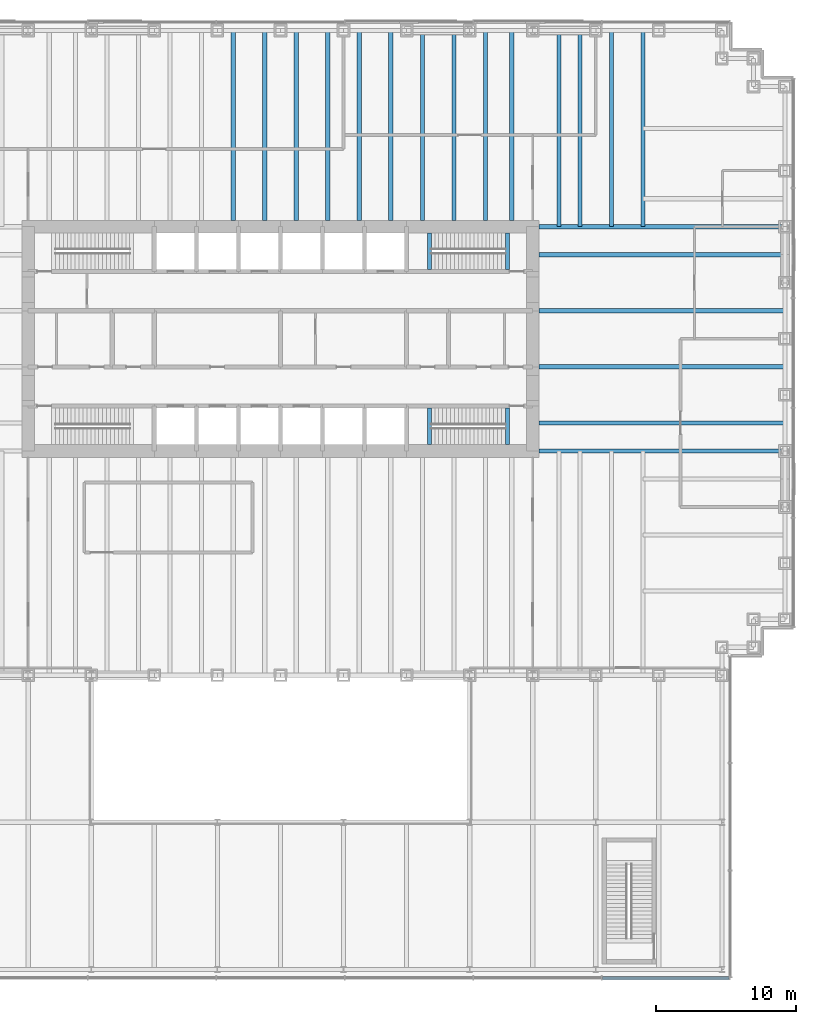
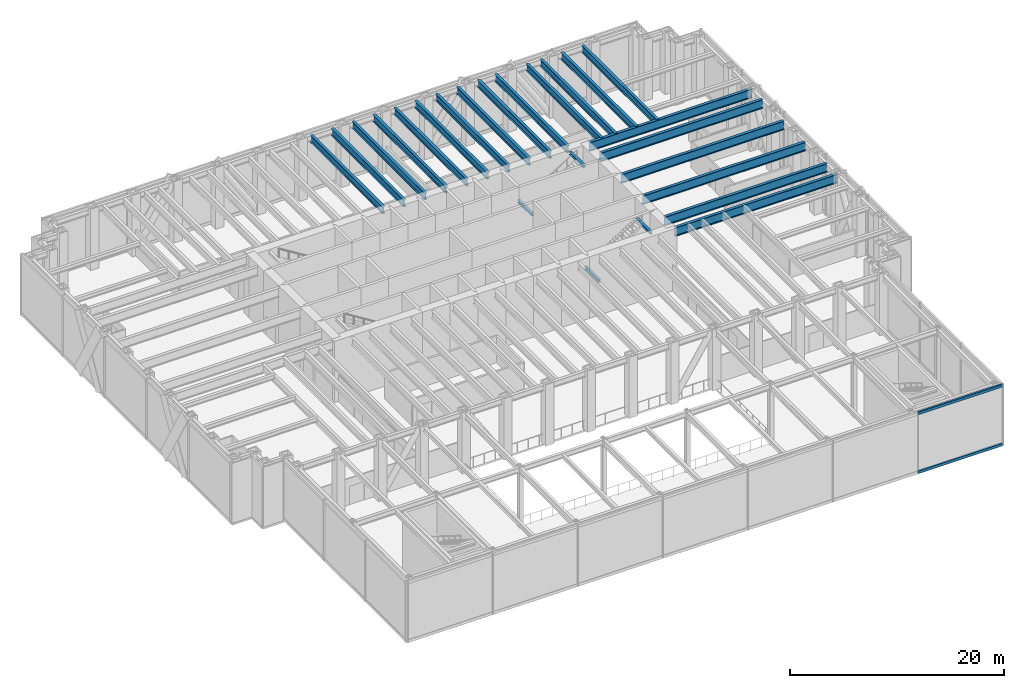
# One storey, part 6 of 17: 24 beams, 2 members, 1 element without a shape of its own.
"""IFC4 building model written with IfcOpenShell, lengths in metres."""

from ifc_helpers import new_model, si_unit, direction, frame, origin, origin_2d, place, context, subcontext, project, spatial, rectangle, i_section, extrude, material, material_profile, profile_set, type_object, element, aggregate, save


model = new_model("IFC4")

# Units and contexts
model_context = context("Model", 3, precision=1e-05, world=origin(), true_north=direction((0.0, 1.0)))
body_context = subcontext(model_context, "Body", "Model", "MODEL_VIEW")
ifc_project = project(units=[si_unit("LENGTHUNIT", "METRE"), si_unit("AREAUNIT", "SQUARE_METRE"), si_unit("VOLUMEUNIT", "CUBIC_METRE"), si_unit("PLANEANGLEUNIT", "RADIAN"), si_unit("MASSUNIT", "GRAM", prefix="KILO")], contexts=[model_context])

# Site, building, storey
site_placement = place(None, origin())
site = spatial("IfcSite", under=ifc_project, at=site_placement, CompositionType="ELEMENT")
building_placement = place(site_placement, origin())
building = spatial("IfcBuilding", under=site, at=building_placement, Name="Rheinbord Bourse Tower", CompositionType="ELEMENT")
storey_placement = place(building_placement, frame((0.0, 0.0, 6.0)))
storey = spatial("IfcBuildingStorey", under=building, at=storey_placement, Name="L01", CompositionType="ELEMENT", Elevation=6.0)

# Curtain wall, members
ifc_material_1 = material(Name="Dark glass and black aluminium", Category="aluminium")
curtain_wall_type = type_object("IfcCurtainWallType", Name="CW4 DARK GLASS CURTAIN WALL", PredefinedType="USERDEFINED", material=ifc_material_1)
curtain_wall_placement = place(storey_placement, origin())
curtain_wall = element("IfcCurtainWall", 1, at=curtain_wall_placement, inside=storey, type_object=curtain_wall_type, Name="Curtain wall CW4 S L01", ObjectType="UNITISED CURTAIN WALL", PredefinedType="USERDEFINED")
ifc_material_2 = material(Name="Black anodised aluminium", Category="aluminium")
ifc_material_profile_1 = material_profile(ifc_material_2, rectangle(XDim=0.199951171875, YDim=0.300048828125, at=origin_2d()), Name="CW4 TRANSOM 300x200")
ifc_profile_set_1 = profile_set([ifc_material_profile_1], Name="Black anodised aluminium")
member_type = type_object("IfcMemberType", Name="CW4 BLACK TRANSOM", PredefinedType="USERDEFINED", material=ifc_profile_set_1)
member_1_placement = place(storey_placement, frame((58.9736328125, -21.60009765625, 0.14990234375), z_axis=(1.0, 0.0, 0.0), x_axis=(0.0, 1.0, 0.0)))
member_1 = element("IfcMember", 2, at=member_1_placement, type_object=member_type, Name="CW4 transom 7.1", ObjectType="TRANSOM", PredefinedType="USERDEFINED", context=body_context, shape_type="SweptSolid", body=[
    extrude(rectangle(XDim=0.199951171875, YDim=0.300048828125, at=origin_2d()), origin(), (0.0, 0.0, 1.0), 9.036376953125),
])
member_2_placement = place(storey_placement, frame((58.9736328125, -21.60009765625, 6.85009765625), z_axis=(1.0, 0.0, 0.0), x_axis=(0.0, 1.0, 0.0)))
member_2 = element("IfcMember", 3, at=member_2_placement, type_object=member_type, Name="CW4 transom 7.2", ObjectType="TRANSOM", PredefinedType="USERDEFINED", context=body_context, shape_type="SweptSolid", body=[
    extrude(rectangle(XDim=0.199951171875, YDim=0.300048828125, at=origin_2d()), origin(), (0.0, 0.0, 1.0), 9.036376953125),
])
aggregate(curtain_wall, [member_1, member_2])

# Beams
ifc_material_3 = material(Name="Steel S460", Category="steel")
ifc_material_profile_2 = material_profile(ifc_material_3, i_section(OverallWidth=0.302001953125, OverallDepth=1.008056640625, WebThickness=0.02099609375, FlangeThickness=0.0400390625, at=origin_2d()), Name="HEM 1000")
ifc_profile_set_2 = profile_set([ifc_material_profile_2], Name="Steel S460")
beam_type_1 = type_object("IfcBeamType", Name="END BEAM HEM 1000", PredefinedType="BEAM", material=ifc_profile_set_2)
for number, where, z_axis, x_axis, name in (
    (4, (54.449951171875, 18.0, 6.31591796875), (1.0, 0.0, 0.0), (0.0, 1.0, 0.0), "End beam east 18 L02"),
    (5, (54.449951171875, 22.0, 6.31591796875), (1.0, 0.0, 0.0), (0.0, 1.0, 0.0), "End beam east 22 L02"),
    (6, (54.449951171875, 26.0, 6.31591796875), (1.0, 0.0, 0.0), (0.0, 1.0, 0.0), "End beam east 26 L02"),
    (7, (54.449951171875, 30.0, 6.31591796875), (1.0, 0.0, 0.0), (0.0, 1.0, 0.0), "End beam east 30 L02"),
):
    element("IfcBeam", number, at=place(storey_placement, frame(where, z_axis=z_axis, x_axis=x_axis)), inside=storey, type_object=beam_type_1, Name=name, PredefinedType="BEAM", context=body_context, shape_type="SweptSolid", body=[
        extrude(i_section(OverallWidth=0.302001953125, OverallDepth=1.008056640625, WebThickness=0.02099609375, FlangeThickness=0.0400390625, at=origin_2d()), origin(), (0.0, 0.0, 1.0), 17.550048828125),
    ])
ifc_material_4 = material(Name="Steel S460", Category="steel")
ifc_material_profile_3 = material_profile(ifc_material_4, i_section(OverallWidth=0.300048828125, OverallDepth=0.800048828125, WebThickness=0.017578125, FlangeThickness=0.032958984375, at=origin_2d()), Name="HEB 800")
ifc_profile_set_3 = profile_set([ifc_material_profile_3], Name="Steel S460")
beam_type_2 = type_object("IfcBeamType", Name="FLOOR BEAM HEB 800", PredefinedType="BEAM", material=ifc_profile_set_3)
for number, where, z_axis, x_axis, name in (
    (8, (32.625, 46.0, 6.419921875), (0.0, -1.0, 0.0), (1.0, 0.0, 0.0), "Floor beam N-31.5a L02"),
    (9, (34.875, 46.0, 6.419921875), (0.0, -1.0, 0.0), (1.0, 0.0, 0.0), "Floor beam N-31.5b L02"),
    (10, (37.125, 46.0, 6.419921875), (0.0, -1.0, 0.0), (1.0, 0.0, 0.0), "Floor beam N-36a L02"),
    (11, (39.375, 46.0, 6.419921875), (0.0, -1.0, 0.0), (1.0, 0.0, 0.0), "Floor beam N-36b L02"),
    (12, (41.625, 46.0, 6.419921875), (0.0, -1.0, 0.0), (1.0, 0.0, 0.0), "Floor beam N-40.5a L02"),
    (13, (43.875, 46.0, 6.419921875), (0.0, -1.0, 0.0), (1.0, 0.0, 0.0), "Floor beam N-40.5b L02"),
    (14, (46.125, 46.0, 6.419921875), (0.0, -1.0, 0.0), (1.0, 0.0, 0.0), "Floor beam N-45a L02"),
    (15, (48.375, 46.0, 6.419921875), (0.0, -1.0, 0.0), (1.0, 0.0, 0.0), "Floor beam N-45b L02"),
    (16, (50.625, 46.0, 6.419921875), (0.0, -1.0, 0.0), (1.0, 0.0, 0.0), "Floor beam N-49.5a L02"),
    (17, (52.5, 46.0, 6.419921875), (0.0, -1.0, 0.0), (1.0, 0.0, 0.0), "Floor beam N-49.5b L02"),
):
    element("IfcBeam", number, at=place(storey_placement, frame(where, z_axis=z_axis, x_axis=x_axis)), inside=storey, type_object=beam_type_2, Name=name, PredefinedType="BEAM", context=body_context, shape_type="SweptSolid", body=[
        extrude(i_section(OverallWidth=0.300048828125, OverallDepth=0.800048828125, WebThickness=0.017578125, FlangeThickness=0.032958984375, at=origin_2d()), origin(), (0.0, 0.0, 1.0), 13.550048828125),
    ])
for number, where, z_axis, x_axis, name in (
    (18, (55.875, 46.0, 6.419921875), (0.0, -1.0, 0.0), (1.0, 0.0, 0.0), "Floor beam N-54a L02"),
    (19, (57.375, 46.0, 6.419921875), (0.0, -1.0, 0.0), (1.0, 0.0, 0.0), "Floor beam N-54b L02"),
    (20, (59.625, 46.0, 6.419921875), (0.0, -1.0, 0.0), (1.0, 0.0, 0.0), "Floor beam N-58.5a L02"),
    (21, (61.875, 46.0, 6.419921875), (0.0, -1.0, 0.0), (1.0, 0.0, 0.0), "Floor beam N-58.5b L02"),
):
    element("IfcBeam", number, at=place(storey_placement, frame(where, z_axis=z_axis, x_axis=x_axis)), inside=storey, type_object=beam_type_2, Name=name, PredefinedType="BEAM", context=body_context, shape_type="SweptSolid", body=[
        extrude(i_section(OverallWidth=0.300048828125, OverallDepth=0.800048828125, WebThickness=0.017578125, FlangeThickness=0.032958984375, at=origin_2d()), origin(), (0.0, 0.0, 1.0), 14.0),
    ])
ifc_material_5 = material(Name="Steel S460", Category="steel")
ifc_material_profile_4 = material_profile(ifc_material_5, i_section(OverallWidth=0.302001953125, OverallDepth=1.008056640625, WebThickness=0.02099609375, FlangeThickness=0.0400390625, at=origin_2d()), Name="HEM 1000")
ifc_profile_set_4 = profile_set([ifc_material_profile_4], Name="Steel S460")
beam_type_3 = type_object("IfcBeamType", Name="GIRDER HEM 1000", PredefinedType="BEAM", material=ifc_profile_set_4)
for number, where, z_axis, x_axis, name in (
    (22, (54.449951171875, 16.0, 6.31591796875), (1.0, 0.0, 0.0), (0.0, 1.0, 0.0), "Girder east 16 L02"),
    (23, (54.449951171875, 32.0, 6.31591796875), (1.0, 0.0, 0.0), (0.0, 1.0, 0.0), "Girder east 32 L02"),
):
    element("IfcBeam", number, at=place(storey_placement, frame(where, z_axis=z_axis, x_axis=x_axis)), inside=storey, type_object=beam_type_3, Name=name, PredefinedType="BEAM", context=body_context, shape_type="SweptSolid", body=[
        extrude(i_section(OverallWidth=0.302001953125, OverallDepth=1.008056640625, WebThickness=0.02099609375, FlangeThickness=0.0400390625, at=origin_2d()), origin(), (0.0, 0.0, 1.0), 17.550048828125),
    ])
ifc_material_6 = material(Name="Steel S460", Category="steel")
ifc_material_profile_5 = material_profile(ifc_material_6, i_section(OverallWidth=0.300048828125, OverallDepth=0.300048828125, WebThickness=0.010986328125, FlangeThickness=0.01904296875, at=origin_2d()), Name="HEB 300")
ifc_profile_set_5 = profile_set([ifc_material_profile_5], Name="Steel S460")
beam_type_4 = type_object("IfcBeamType", Name="LANDING TRIMMER HEB 300", PredefinedType="BEAM", material=ifc_profile_set_5)
for number, where, z_axis, x_axis, name in (
    (24, (46.6298828125, 16.449951171875, 3.14990234375), (0.0, 1.0, 0.0), (-1.0, 0.0, 0.0), "Landing trimmer ST3 L01"),
    (25, (52.199951171875, 16.449951171875, 6.669921875), (0.0, 1.0, 0.0), (-1.0, 0.0, 0.0), "Well trimmer ST3 under L02"),
    (26, (46.6298828125, 28.949951171875, 3.14990234375), (0.0, 1.0, 0.0), (-1.0, 0.0, 0.0), "Landing trimmer ST4 L01"),
    (27, (52.199951171875, 28.949951171875, 6.669921875), (0.0, 1.0, 0.0), (-1.0, 0.0, 0.0), "Well trimmer ST4 under L02"),
):
    element("IfcBeam", number, at=place(storey_placement, frame(where, z_axis=z_axis, x_axis=x_axis)), inside=storey, type_object=beam_type_4, Name=name, PredefinedType="BEAM", context=body_context, shape_type="SweptSolid", body=[
        extrude(i_section(OverallWidth=0.300048828125, OverallDepth=0.300048828125, WebThickness=0.010986328125, FlangeThickness=0.01904296875, at=origin_2d()), origin(), (0.0, 0.0, 1.0), 2.60009765625),
    ])

save(model, "model.ifc")
